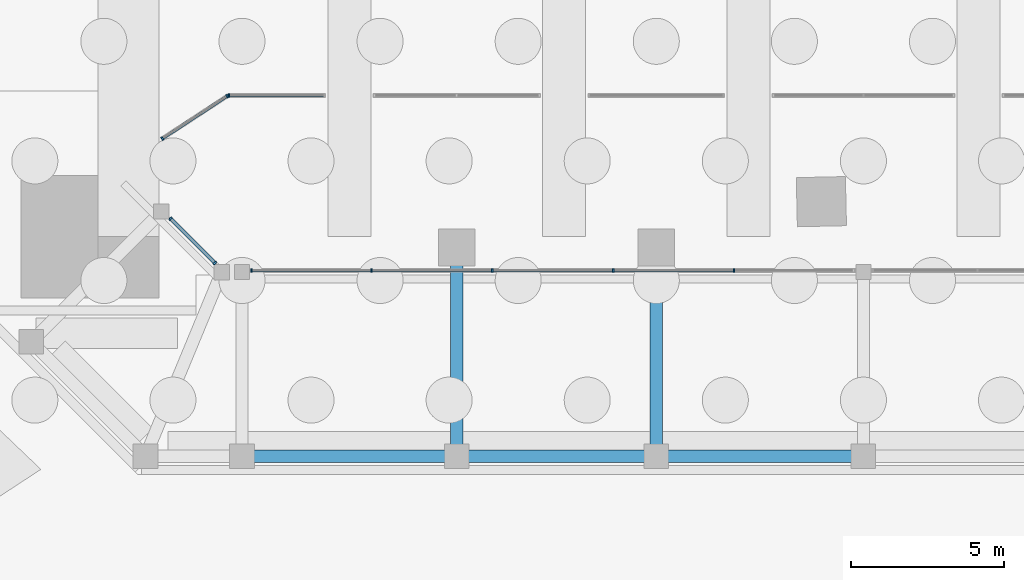
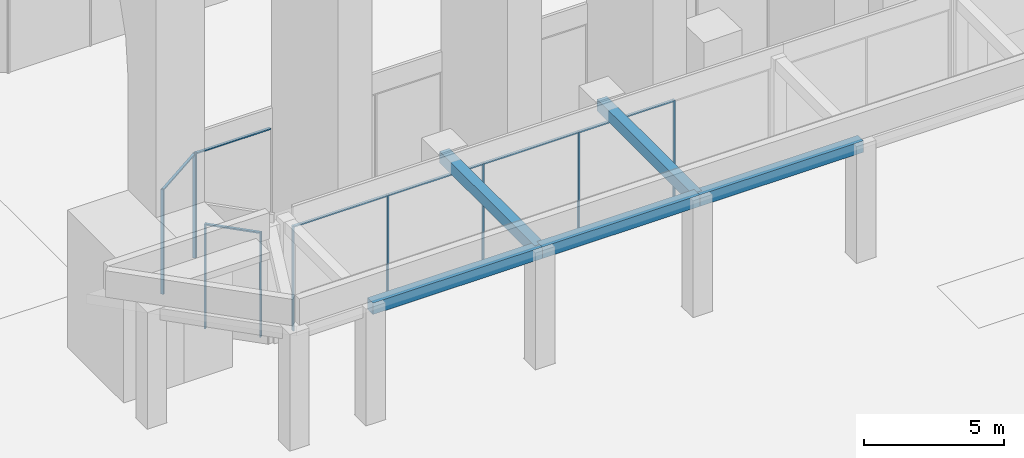
# One storey, part 3 of 46: 17 members, 5 beams, 4 elements without a shape of their own.
"""IFC4 building model written with IfcOpenShell, lengths in metres."""

import ifcopenshell
import ifcopenshell.guid

model = None  # the IFC model being written
_history = None  # IfcOwnerHistory: only IFC2X3 demands one
_inside = {}  # id of a spatial element -> (the spatial element, [elements in it])
_under = {}  # id of a project, library or spatial element -> (it, [spatial elements below it])
_declared = {}  # id of a project -> (the project, [libraries it declares])
_typed = {}  # id of a type object -> (the type object, [elements of that type])
_made_of = {}  # id of a material, layer set ... -> (it, [elements and type objects made of it])


def new_model(schema):
    """Start an empty IFC model of exactly this schema.

    Asked for "IFC4X3", IfcOpenShell would pick the latest addendum, in which some entities
    have other attributes; the version numbers below select the first issue.
    IFC2X3 requires an IfcOwnerHistory on every rooted entity: one is made here for all.
    """
    global model, _history
    if schema == "IFC4X3":
        model = ifcopenshell.file(schema_version=(4, 3, 0, 0))
    else:
        model = ifcopenshell.file(schema=schema)
    _inside.clear()
    _under.clear()
    _declared.clear()
    _typed.clear()
    _made_of.clear()
    _history = None
    if model.schema == "IFC2X3":
        org = make("IfcOrganization", Name="unknown")
        user = make(
            "IfcPersonAndOrganization",
            ThePerson=make("IfcPerson", FamilyName="unknown"),
            TheOrganization=org,
        )
        app = make(
            "IfcApplication",
            ApplicationDeveloper=org,
            Version="unknown",
            ApplicationFullName="unknown",
            ApplicationIdentifier="unknown",
        )
        _history = make(
            "IfcOwnerHistory",
            OwningUser=user,
            OwningApplication=app,
            ChangeAction="ADDED",
            CreationDate=0,
        )
    return model


def make(cls, **values):
    """One entity of the class cls with the attributes given. An attribute that is None is left unset."""
    return model.create_entity(
        cls, **{name: value for name, value in values.items() if value is not None}
    )


def rooted(cls, **values):
    """An entity with a GlobalId (a new one), such as an element, a storey or a relation."""
    return make(cls, GlobalId=ifcopenshell.guid.new(), OwnerHistory=_history, **values)


def si_unit(unit_type, name, prefix=None):
    """IfcSIUnit, for example si_unit("LENGTHUNIT", "METRE", prefix="MILLI")."""
    return make("IfcSIUnit", UnitType=unit_type, Prefix=prefix, Name=name)


def assignment(units):
    """IfcUnitAssignment: the units of a project."""
    return None if units is None else make("IfcUnitAssignment", Units=units)


def point(xyz):
    """IfcCartesianPoint."""
    return None if xyz is None else make("IfcCartesianPoint", Coordinates=xyz)


def direction(xyz):
    """IfcDirection."""
    return None if xyz is None else make("IfcDirection", DirectionRatios=xyz)


def frame(location, z_axis=None, x_axis=None):
    """IfcAxis2Placement3D, a coordinate frame: its origin and axes. An axis left out is left unset."""
    return make(
        "IfcAxis2Placement3D",
        Location=point(location),
        Axis=direction(z_axis),
        RefDirection=direction(x_axis),
    )


def frame_2d(location, x_axis=None):
    """IfcAxis2Placement2D, a coordinate frame in the plane: its origin and x axis."""
    return make(
        "IfcAxis2Placement2D", Location=point(location), RefDirection=direction(x_axis)
    )


def origin():
    """The frame at (0, 0, 0) with its axes left unset."""
    return frame((0.0, 0.0, 0.0))


def origin_2d():
    """The frame at (0, 0) in the plane with its x axis left unset."""
    return frame_2d((0.0, 0.0))


def place(relative_to, where):
    """IfcLocalPlacement: puts the frame where relative to a parent placement (None: the world)."""
    return make(
        "IfcLocalPlacement", PlacementRelTo=relative_to, RelativePlacement=where
    )


def context(
    kind, dimensions, precision=None, world=None, true_north=None, identifier=None
):
    """IfcGeometricRepresentationContext, for example the 3D "Model" context."""
    return make(
        "IfcGeometricRepresentationContext",
        ContextIdentifier=identifier,
        ContextType=kind,
        CoordinateSpaceDimension=dimensions,
        Precision=precision,
        WorldCoordinateSystem=world,
        TrueNorth=true_north,
    )


def subcontext(parent, identifier, kind, view, scale=None):
    """IfcGeometricRepresentationSubContext, for example "Body" below "Model"."""
    return make(
        "IfcGeometricRepresentationSubContext",
        ContextIdentifier=identifier,
        ContextType=kind,
        ParentContext=parent,
        TargetScale=scale,
        TargetView=view,
    )


def project(units=None, contexts=None):
    """IfcProject with its units and contexts."""
    return rooted(
        "IfcProject",
        Name="project",
        RepresentationContexts=contexts,
        UnitsInContext=assignment(units),
    )


def spatial(cls, under=None, at=None, **own):
    """A site, building, storey or space (cls), placed at a placement, below another one or the project."""
    s = rooted(cls, ObjectPlacement=at, **own)
    if under is not None:
        _under.setdefault(under.id(), (under, []))[1].append(s)
    return s


def profile(cls, at=None, kind="AREA", **sizes):
    """A parametric profile (cls). Its sizes go by their IFC names, for example OverallWidth=200.0."""
    return make(cls, ProfileType=kind, Position=at, **sizes)


def rectangle(**sizes):
    """IfcRectangleProfileDef."""
    return profile("IfcRectangleProfileDef", **sizes)


def extrude(swept, where, along, depth):
    """IfcExtrudedAreaSolid: the profile swept, set in the frame where, extruded along a direction by depth."""
    return make(
        "IfcExtrudedAreaSolid",
        SweptArea=swept,
        Position=where,
        ExtrudedDirection=direction(along),
        Depth=depth,
    )


def shape(context_of_items, identifier, shape_type, items):
    """IfcShapeRepresentation: the items that make up one representation, for example the "Body"."""
    return make(
        "IfcShapeRepresentation",
        ContextOfItems=context_of_items,
        RepresentationIdentifier=identifier,
        RepresentationType=shape_type,
        Items=items,
    )


def material(Name=None, Category=None):
    """IfcMaterial."""
    return make("IfcMaterial", Name=Name, Category=Category)


def material_profile(
    of_material, cross_section, Name=None, Category=None, Priority=None
):
    """IfcMaterialProfile: a cross section and its material."""
    return make(
        "IfcMaterialProfile",
        Name=Name,
        Material=of_material,
        Profile=cross_section,
        Priority=Priority,
        Category=Category,
    )


def profile_set(profiles, Name=None, composite=None):
    """IfcMaterialProfileSet."""
    return make(
        "IfcMaterialProfileSet",
        Name=Name,
        MaterialProfiles=profiles,
        CompositeProfile=composite,
    )


def made_of(thing, what):
    """Note that an element or type object is made of a material, layer set ...; save() writes the relation."""
    if what is not None:
        _made_of.setdefault(what.id(), (what, []))[1].append(thing)
    return thing


def type_object(cls, material=None, **own):
    """A type object (cls), such as IfcWallType, which elements share."""
    return made_of(rooted(cls, **own), material)


def element(
    cls,
    number,
    at=None,
    inside=None,
    cuts=None,
    type_object=None,
    material=None,
    context=None,
    identifier="Body",
    shape_type=None,
    held_by="IfcProductDefinitionShape",
    body=None,
    shapes=None,
    **own,
):
    """One element of the class cls, such as IfcWall. Its Tag is "e" and its number.

    at: its placement. inside: the storey or other place that contains it. cuts: it is an
    opening in that element (IfcRelVoidsElement). A single representation is given by context,
    identifier, shape_type and body (its items); several are given by shapes. held_by: the class
    of the entity that holds the representations. save() writes the other relations.
    """
    e = rooted(cls, Tag="e%d" % number, ObjectPlacement=at, **own)
    if body is not None:
        shapes = [shape(context, identifier, shape_type, body)]
    if shapes is not None:
        e.Representation = make(held_by, Representations=shapes)
    if inside is not None:
        _inside.setdefault(inside.id(), (inside, []))[1].append(e)
    if cuts is not None:
        rooted(
            "IfcRelVoidsElement", RelatingBuildingElement=cuts, RelatedOpeningElement=e
        )
    if type_object is not None:
        _typed.setdefault(type_object.id(), (type_object, []))[1].append(e)
    return made_of(e, material)


def aggregate(whole, parts):
    """IfcRelAggregates: a whole, such as a stair, and the parts it consists of."""
    return rooted("IfcRelAggregates", RelatingObject=whole, RelatedObjects=parts)


def save(model, path):
    """Write the relations noted so far, then the file.

    IfcRelAggregates (storeys below a building ...), IfcRelContainedInSpatialStructure (elements
    in a storey), IfcRelDefinesByType, IfcRelAssociatesMaterial and IfcRelDeclares: one each for
    every whole, place, type object, material and project.
    """
    for whole, parts in _under.values():
        aggregate(whole, parts)
    for where, things in _inside.values():
        rooted(
            "IfcRelContainedInSpatialStructure",
            RelatedElements=things,
            RelatingStructure=where,
        )
    for kind, things in _typed.values():
        rooted("IfcRelDefinesByType", RelatedObjects=things, RelatingType=kind)
    for what, things in _made_of.values():
        rooted("IfcRelAssociatesMaterial", RelatedObjects=things, RelatingMaterial=what)
    for by, libraries in _declared.values():
        rooted("IfcRelDeclares", RelatingContext=by, RelatedDefinitions=libraries)
    model.write(path)


model = new_model("IFC4")

# Units and contexts
model_context = context("Model", 3, precision=1e-05, world=origin(), true_north=direction((0.0, 1.0)))
body_context = subcontext(model_context, "Body", "Model", "MODEL_VIEW")
ifc_project = project(units=[si_unit("LENGTHUNIT", "METRE"), si_unit("AREAUNIT", "SQUARE_METRE"), si_unit("VOLUMEUNIT", "CUBIC_METRE"), si_unit("PLANEANGLEUNIT", "RADIAN"), si_unit("MASSUNIT", "GRAM", prefix="KILO")], contexts=[model_context])

# Site, building, storey
site_placement = place(None, origin())
site = spatial("IfcSite", under=ifc_project, at=site_placement, CompositionType="ELEMENT")
building_placement = place(site_placement, origin())
building = spatial("IfcBuilding", under=site, at=building_placement, Name="Mangrove Gate Tower", CompositionType="ELEMENT")
storey_placement = place(building_placement, origin())
storey = spatial("IfcBuildingStorey", under=building, at=storey_placement, Name="L00", CompositionType="ELEMENT", Elevation=0.0)

# Beams
ifc_material_1 = material(Name="Concrete C70/85", Category="concrete")
ifc_material_profile_1 = material_profile(ifc_material_1, rectangle(XDim=0.39990234375, YDim=0.5, at=origin_2d()))
ifc_profile_set_1 = profile_set([ifc_material_profile_1], Name="Concrete C70/85")
beam_type = type_object("IfcBeamType", Name="Canopy beam RC 400x500 C70/85", PredefinedType="BEAM", material=ifc_profile_set_1)
beam_1_placement = place(storey_placement, frame((-31.5, -36.89990234375, 4.830078125), z_axis=(1.0, 0.0, 0.0), x_axis=(0.0, 1.0, 0.0)))
element("IfcBeam", 1, at=beam_1_placement, inside=storey, type_object=beam_type, Name="Canopy beam L00 CES02", PredefinedType="BEAM", context=body_context, shape_type="SweptSolid", body=[
    extrude(rectangle(XDim=0.39990234375, YDim=0.5, at=origin_2d()), origin(), (0.0, 0.0, 1.0), 7.0),
])
beam_2_placement = place(storey_placement, frame((-24.5, -36.89990234375, 4.830078125), z_axis=(1.0, 0.0, 0.0), x_axis=(0.0, 1.0, 0.0)))
element("IfcBeam", 2, at=beam_2_placement, inside=storey, type_object=beam_type, Name="Canopy beam L00 CES03", PredefinedType="BEAM", context=body_context, shape_type="SweptSolid", body=[
    extrude(rectangle(XDim=0.39990234375, YDim=0.5, at=origin_2d()), origin(), (0.0, 0.0, 1.0), 6.5),
])
beam_3_placement = place(storey_placement, frame((-18.0, -36.89990234375, 4.830078125), z_axis=(1.0, 0.0, 0.0), x_axis=(0.0, 1.0, 0.0)))
element("IfcBeam", 3, at=beam_3_placement, inside=storey, type_object=beam_type, Name="Canopy beam L00 CES04", PredefinedType="BEAM", context=body_context, shape_type="SweptSolid", body=[
    extrude(rectangle(XDim=0.39990234375, YDim=0.5, at=origin_2d()), origin(), (0.0, 0.0, 1.0), 6.75),
])
for number, where, z_axis, x_axis, name in (
    (4, (-24.5, -30.10009765625, 4.830078125), (0.0, -1.0, 0.0), (1.0, 0.0, 0.0), "Canopy beam L00 CBS03"),
    (5, (-18.0, -30.10009765625, 4.830078125), (0.0, -1.0, 0.0), (1.0, 0.0, 0.0), "Canopy beam L00 CBS04"),
):
    element("IfcBeam", number, at=place(storey_placement, frame(where, z_axis=z_axis, x_axis=x_axis)), inside=storey, type_object=beam_type, Name=name, PredefinedType="BEAM", context=body_context, shape_type="SweptSolid", body=[
        extrude(rectangle(XDim=0.39990234375, YDim=0.5, at=origin_2d()), origin(), (0.0, 0.0, 1.0), 6.7998046875),
    ])

# Curtain wall, member
ifc_material_2 = material(Name="Aluminium and glass curtain wall", Category="aluminium")
curtain_wall_type = type_object("IfcCurtainWallType", Name="Podium shopfront glazing wall", PredefinedType="NOTDEFINED", material=ifc_material_2)
curtain_wall_1_placement = place(storey_placement, origin())
curtain_wall_1 = element("IfcCurtainWall", 6, at=curtain_wall_1_placement, inside=storey, type_object=curtain_wall_type, Name="Podium shopfront glazing N4019s1", PredefinedType="NOTDEFINED")
ifc_material_3 = material(Name="Aluminium alloy 6063-T6", Category="aluminium")
ifc_material_profile_2 = material_profile(ifc_material_3, rectangle(XDim=0.06005859375, YDim=0.1201171875, at=origin_2d()))
ifc_profile_set_2 = profile_set([ifc_material_profile_2], Name="Aluminium alloy 6063-T6")
member_type_1 = type_object("IfcMemberType", Name="Podium shopfront glazing mullion 60x120", PredefinedType="MULLION", material=ifc_profile_set_2)
member_1_placement = place(storey_placement, frame((-31.92529296875, -25.14990234375, 0.0), z_axis=(0.0, 0.0, 1.0), x_axis=(-1.0, 0.0, 0.0)))
member_1 = element("IfcMember", 7, at=member_1_placement, type_object=member_type_1, Name="CWS mullion 2", PredefinedType="MULLION", context=body_context, shape_type="SweptSolid", body=[
    extrude(rectangle(XDim=0.06005859375, YDim=0.1201171875, at=origin_2d()), origin(), (0.0, 0.0, 1.0), 4.570068359375),
])

# Curtain wall, members
curtain_wall_2_placement = place(storey_placement, origin())
curtain_wall_2 = element("IfcCurtainWall", 8, at=curtain_wall_2_placement, inside=storey, type_object=curtain_wall_type, Name="Podium shopfront glazing N2s1", PredefinedType="NOTDEFINED")
member_2_placement = place(storey_placement, frame((-31.98046875, -25.16650390625, 0.0), z_axis=(0.0, 0.0, 1.0), x_axis=(-0.836658727453, -0.547724541879, 0.0)))
member_2 = element("IfcMember", 9, at=member_2_placement, type_object=member_type_1, Name="CWS mullion 1", PredefinedType="MULLION", context=body_context, shape_type="SweptSolid", body=[
    extrude(rectangle(XDim=0.06005859375, YDim=0.1201171875, at=origin_2d()), origin(), (0.0, 0.0, 1.0), 4.570068359375),
])
member_3_placement = place(storey_placement, frame((-34.094970703125, -26.55078125, 0.0), z_axis=(0.0, 0.0, 1.0), x_axis=(-0.836658727453, -0.547724541879, 0.0)))
member_3 = element("IfcMember", 10, at=member_3_placement, type_object=member_type_1, Name="CWS mullion 2", PredefinedType="MULLION", context=body_context, shape_type="SweptSolid", body=[
    extrude(rectangle(XDim=0.06005859375, YDim=0.1201171875, at=origin_2d()), origin(), (0.0, 0.0, 1.0), 4.570068359375),
])

curtain_wall_3_placement = place(storey_placement, origin())
curtain_wall_3 = element("IfcCurtainWall", 11, at=curtain_wall_3_placement, inside=storey, type_object=curtain_wall_type, Name="Podium shopfront glazing W3s1", PredefinedType="NOTDEFINED")
member_4_placement = place(storey_placement, frame((-33.828125, -29.159912109375, 0.0), z_axis=(0.0, 0.0, 1.0), x_axis=(0.707106781187, -0.707106781187, 0.0)))
member_4 = element("IfcMember", 12, at=member_4_placement, type_object=member_type_1, Name="CWS mullion 1", PredefinedType="MULLION", context=body_context, shape_type="SweptSolid", body=[
    extrude(rectangle(XDim=0.06005859375, YDim=0.1201171875, at=origin_2d()), origin(), (0.0, 0.0, 1.0), 4.570068359375),
])
member_5_placement = place(storey_placement, frame((-32.38134765625, -30.6064453125, 0.0), z_axis=(0.0, 0.0, 1.0), x_axis=(0.707106781187, -0.707106781187, 0.0)))
member_5 = element("IfcMember", 13, at=member_5_placement, type_object=member_type_1, Name="CWS mullion 2", PredefinedType="MULLION", context=body_context, shape_type="SweptSolid", body=[
    extrude(rectangle(XDim=0.06005859375, YDim=0.1201171875, at=origin_2d()), origin(), (0.0, 0.0, 1.0), 4.570068359375),
])

curtain_wall_4_placement = place(storey_placement, origin())
curtain_wall_4 = element("IfcCurtainWall", 14, at=curtain_wall_4_placement, inside=storey, type_object=curtain_wall_type, Name="Podium shopfront glazing S4s1", PredefinedType="NOTDEFINED")
member_6_placement = place(storey_placement, frame((-31.18994140625, -30.85009765625, 0.0), z_axis=(0.0, 0.0, 1.0), x_axis=(1.0, 0.0, 0.0)))
member_6 = element("IfcMember", 15, at=member_6_placement, type_object=member_type_1, Name="CWS mullion 1", PredefinedType="MULLION", context=body_context, shape_type="SweptSolid", body=[
    extrude(rectangle(XDim=0.06005859375, YDim=0.1201171875, at=origin_2d()), origin(), (0.0, 0.0, 1.0), 4.570068359375),
])
member_7_placement = place(storey_placement, frame((-27.281982421875, -30.85009765625, 0.0), z_axis=(0.0, 0.0, 1.0), x_axis=(1.0, 0.0, 0.0)))
member_7 = element("IfcMember", 16, at=member_7_placement, type_object=member_type_1, Name="CWS mullion 2", PredefinedType="MULLION", context=body_context, shape_type="SweptSolid", body=[
    extrude(rectangle(XDim=0.06005859375, YDim=0.1201171875, at=origin_2d()), origin(), (0.0, 0.0, 1.0), 4.570068359375),
])
member_8_placement = place(storey_placement, frame((-23.343994140625, -30.85009765625, 0.0), z_axis=(0.0, 0.0, 1.0), x_axis=(1.0, 0.0, 0.0)))
member_8 = element("IfcMember", 17, at=member_8_placement, type_object=member_type_1, Name="CWS mullion 3", PredefinedType="MULLION", context=body_context, shape_type="SweptSolid", body=[
    extrude(rectangle(XDim=0.06005859375, YDim=0.1201171875, at=origin_2d()), origin(), (0.0, 0.0, 1.0), 4.570068359375),
])
member_9_placement = place(storey_placement, frame((-19.406005859375, -30.85009765625, 0.0), z_axis=(0.0, 0.0, 1.0), x_axis=(1.0, 0.0, 0.0)))
member_9 = element("IfcMember", 18, at=member_9_placement, type_object=member_type_1, Name="CWS mullion 4", PredefinedType="MULLION", context=body_context, shape_type="SweptSolid", body=[
    extrude(rectangle(XDim=0.06005859375, YDim=0.1201171875, at=origin_2d()), origin(), (0.0, 0.0, 1.0), 4.570068359375),
])
member_10_placement = place(storey_placement, frame((-15.468017578125, -30.85009765625, 0.0), z_axis=(0.0, 0.0, 1.0), x_axis=(1.0, 0.0, 0.0)))
member_10 = element("IfcMember", 19, at=member_10_placement, type_object=member_type_1, Name="CWS mullion 5", PredefinedType="MULLION", context=body_context, shape_type="SweptSolid", body=[
    extrude(rectangle(XDim=0.06005859375, YDim=0.1201171875, at=origin_2d()), origin(), (0.0, 0.0, 1.0), 4.570068359375),
])

# Member
ifc_material_4 = material(Name="Aluminium alloy 6063-T6", Category="aluminium")
ifc_material_profile_3 = material_profile(ifc_material_4, rectangle(XDim=0.06005859375, YDim=0.10009765625, at=origin_2d()))
ifc_profile_set_3 = profile_set([ifc_material_profile_3], Name="Aluminium alloy 6063-T6")
member_type_2 = type_object("IfcMemberType", Name="Podium shopfront glazing transom 60x100", PredefinedType="USERDEFINED", material=ifc_profile_set_3)
member_11_placement = place(storey_placement, frame((-28.840087890625, -25.14990234375, 4.5400390625), z_axis=(-1.0, 0.0, 0.0), x_axis=(0.0, 0.0, 1.0)))
member_11 = element("IfcMember", 20, at=member_11_placement, type_object=member_type_2, Name="CWS transom 1.2", ObjectType="TRANSOM", PredefinedType="USERDEFINED", context=body_context, shape_type="SweptSolid", body=[
    extrude(rectangle(XDim=0.06005859375, YDim=0.10009765625, at=origin_2d()), origin(), (0.0, 0.0, 1.0), 3.05517578125),
])

aggregate(curtain_wall_1, [member_1, member_11])

member_12_placement = place(storey_placement, frame((-32.00537109375, -25.182861328125, 4.5400390625), z_axis=(-0.836694097525, -0.547670509674, 0.0), x_axis=(0.0, 0.0, 1.0)))
member_12 = element("IfcMember", 21, at=member_12_placement, type_object=member_type_2, Name="CWS transom 1.2", ObjectType="TRANSOM", PredefinedType="USERDEFINED", context=body_context, shape_type="SweptSolid", body=[
    extrude(rectangle(XDim=0.06005859375, YDim=0.10009765625, at=origin_2d()), origin(), (0.0, 0.0, 1.0), 2.46728515625),
])

aggregate(curtain_wall_2, [member_2, member_3, member_12])

member_13_placement = place(storey_placement, frame((-33.806884765625, -29.180908203125, 4.5400390625), z_axis=(0.707106781187, -0.707106781187, 0.0), x_axis=(0.0, 0.0, 1.0)))
member_13 = element("IfcMember", 22, at=member_13_placement, type_object=member_type_2, Name="CWS transom 1.2", ObjectType="TRANSOM", PredefinedType="USERDEFINED", context=body_context, shape_type="SweptSolid", body=[
    extrude(rectangle(XDim=0.06005859375, YDim=0.10009765625, at=origin_2d()), origin(), (0.0, 0.0, 1.0), 1.986083984375),
])

aggregate(curtain_wall_3, [member_4, member_5, member_13])

member_14_placement = place(storey_placement, frame((-31.159912109375, -30.85009765625, 4.5400390625), z_axis=(1.0, 0.0, 0.0), x_axis=(0.0, 0.0, 1.0)))
member_14 = element("IfcMember", 23, at=member_14_placement, type_object=member_type_2, Name="CWS transom 1.2", ObjectType="TRANSOM", PredefinedType="USERDEFINED", context=body_context, shape_type="SweptSolid", body=[
    extrude(rectangle(XDim=0.06005859375, YDim=0.10009765625, at=origin_2d()), origin(), (0.0, 0.0, 1.0), 3.847900390625),
])

member_15_placement = place(storey_placement, frame((-27.251953125, -30.85009765625, 4.5400390625), z_axis=(1.0, 0.0, 0.0), x_axis=(0.0, 0.0, 1.0)))
member_15 = element("IfcMember", 24, at=member_15_placement, type_object=member_type_2, Name="CWS transom 2.2", ObjectType="TRANSOM", PredefinedType="USERDEFINED", context=body_context, shape_type="SweptSolid", body=[
    extrude(rectangle(XDim=0.06005859375, YDim=0.10009765625, at=origin_2d()), origin(), (0.0, 0.0, 1.0), 3.8779296875),
])

member_16_placement = place(storey_placement, frame((-23.31396484375, -30.85009765625, 4.5400390625), z_axis=(1.0, 0.0, 0.0), x_axis=(0.0, 0.0, 1.0)))
member_16 = element("IfcMember", 25, at=member_16_placement, type_object=member_type_2, Name="CWS transom 3.2", ObjectType="TRANSOM", PredefinedType="USERDEFINED", context=body_context, shape_type="SweptSolid", body=[
    extrude(rectangle(XDim=0.06005859375, YDim=0.10009765625, at=origin_2d()), origin(), (0.0, 0.0, 1.0), 3.8779296875),
])

member_17_placement = place(storey_placement, frame((-19.3759765625, -30.85009765625, 4.5400390625), z_axis=(1.0, 0.0, 0.0), x_axis=(0.0, 0.0, 1.0)))
member_17 = element("IfcMember", 26, at=member_17_placement, type_object=member_type_2, Name="CWS transom 4.2", ObjectType="TRANSOM", PredefinedType="USERDEFINED", context=body_context, shape_type="SweptSolid", body=[
    extrude(rectangle(XDim=0.06005859375, YDim=0.10009765625, at=origin_2d()), origin(), (0.0, 0.0, 1.0), 3.8779296875),
])

aggregate(curtain_wall_4, [member_6, member_7, member_8, member_9, member_10, member_14, member_15, member_16, member_17])

save(model, "model.ifc")
